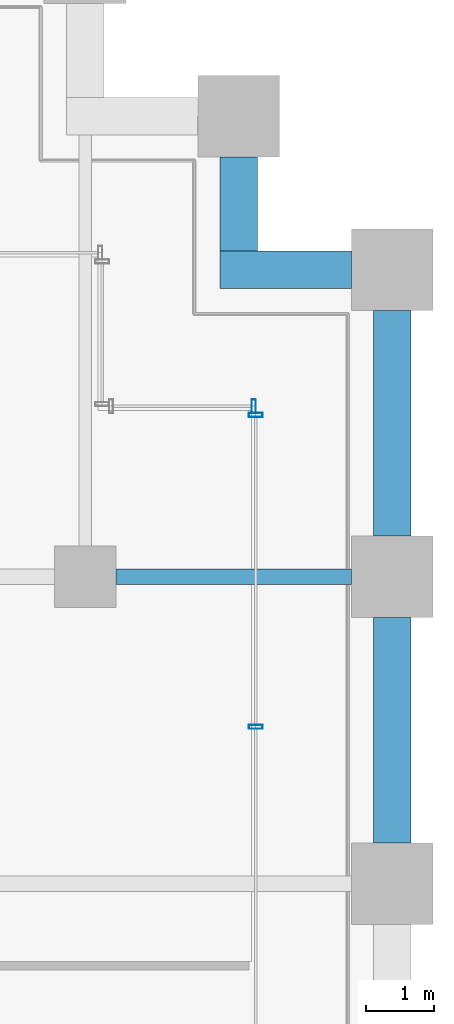
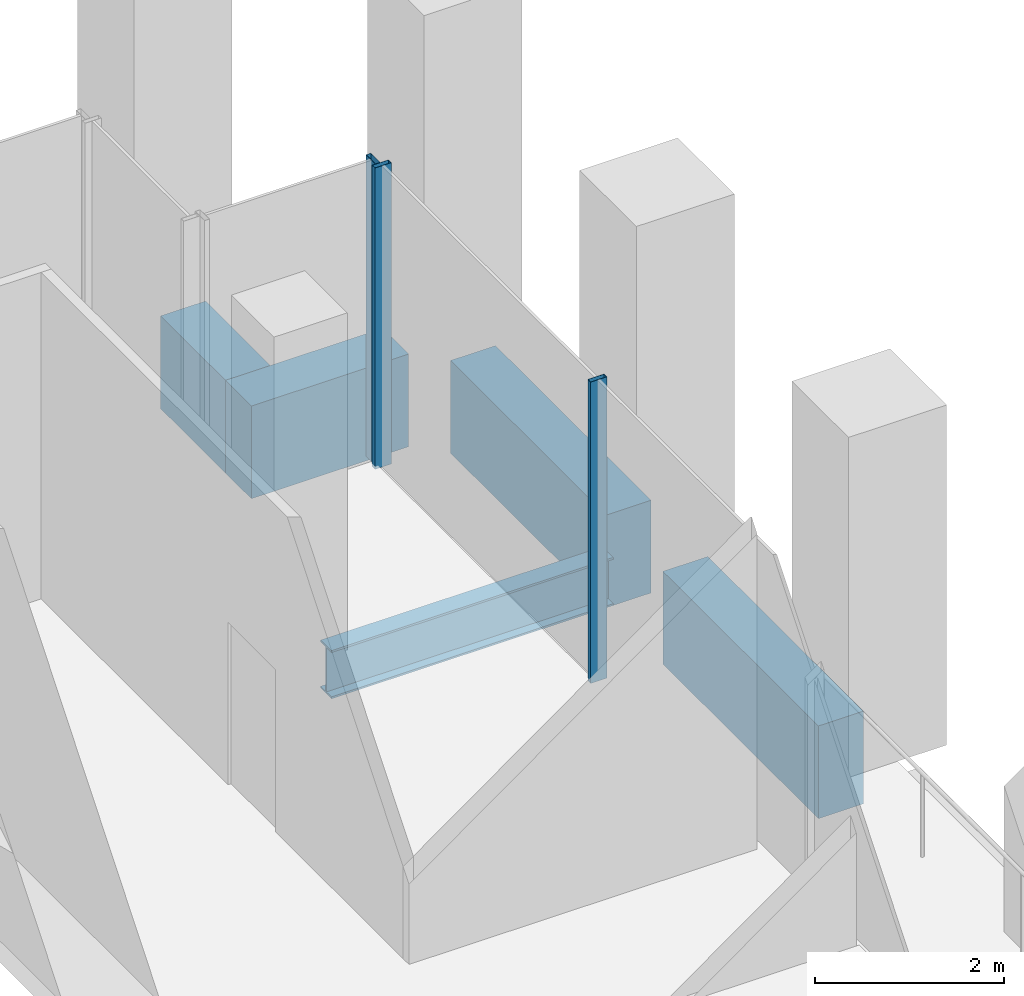
# One storey, part 27 of 36: 5 beams, 3 members, 2 elements without a shape of their own.
"""IFC4 building model written with IfcOpenShell, lengths in metres."""

from ifc_helpers import new_model, si_unit, direction, frame, origin, origin_2d, place, context, subcontext, project, spatial, rectangle, hollow_rectangle, i_section, extrude, material, material_profile, profile_set, type_object, element, aggregate, save


model = new_model("IFC4")

# Units and contexts
model_context = context("Model", 3, precision=1e-05, world=origin(), true_north=direction((0.0, 1.0)))
body_context = subcontext(model_context, "Body", "Model", "MODEL_VIEW")
ifc_project = project(units=[si_unit("LENGTHUNIT", "METRE"), si_unit("AREAUNIT", "SQUARE_METRE"), si_unit("VOLUMEUNIT", "CUBIC_METRE"), si_unit("PLANEANGLEUNIT", "RADIAN"), si_unit("MASSUNIT", "GRAM", prefix="KILO")], contexts=[model_context])

# Site, building, storey
site_placement = place(None, origin())
site = spatial("IfcSite", under=ifc_project, at=site_placement, CompositionType="ELEMENT")
building_placement = place(site_placement, origin())
building = spatial("IfcBuilding", under=site, at=building_placement, Name="Altepetl Exchange Towers", CompositionType="ELEMENT")
storey_placement = place(building_placement, frame((0.0, 0.0, 38.60009765625)))
storey = spatial("IfcBuildingStorey", under=building, at=storey_placement, Name="L08", CompositionType="ELEMENT", Elevation=38.60009765625)

# Beam
ifc_material_1 = material(Name="Steel S355", Category="steel")
ifc_material_profile_1 = material_profile(ifc_material_1, i_section(OverallWidth=0.22900390625, OverallDepth=0.623046875, WebThickness=0.013916015625, FlangeThickness=0.02490234375, at=origin_2d()), Name="W24X103")
ifc_profile_set_1 = profile_set([ifc_material_profile_1], Name="Steel S355")
beam_type_1 = type_object("IfcBeamType", Name="Girder W24X103", PredefinedType="BEAM", material=ifc_profile_set_1)
beam_1_placement = place(storey_placement, frame((121.949951171875, 49.5, -0.486572265625), z_axis=(1.0, 0.0, 0.0), x_axis=(0.0, 1.0, 0.0)))
element("IfcBeam", 1, at=beam_1_placement, inside=storey, type_object=beam_type_1, Name="gd:B:L08:001", PredefinedType="BEAM", context=body_context, shape_type="SweptSolid", body=[
    extrude(i_section(OverallWidth=0.22900390625, OverallDepth=0.623046875, WebThickness=0.013916015625, FlangeThickness=0.02490234375, at=origin_2d()), origin(), (0.0, 0.0, 1.0), 3.449951171875),
])

# Curtain wall, members
ifc_material_2 = material(Name="Aluminium 6063-T6 glazing", Category="aluminium")
curtain_wall_type = type_object("IfcCurtainWallType", Name="Trading floor glazing system", PredefinedType="NOTDEFINED", material=ifc_material_2)
curtain_wall_1_placement = place(storey_placement, origin())
curtain_wall_1 = element("IfcCurtainWall", 2, at=curtain_wall_1_placement, inside=storey, type_object=curtain_wall_type, Name="CW2 run", PredefinedType="NOTDEFINED")
ifc_material_3 = material(Name="Aluminium 6063-T6", Category="aluminium")
ifc_material_profile_2 = material_profile(ifc_material_3, hollow_rectangle(XDim=0.06005859375, YDim=0.199951171875, WallThickness=0.0029296875, at=origin_2d()), Name="Mullion 60x200 aluminium")
ifc_profile_set_2 = profile_set([ifc_material_profile_2], Name="Aluminium 6063-T6")
member_type = type_object("IfcMemberType", Name="Mullion 60x200 aluminium", PredefinedType="MULLION", material=ifc_profile_set_2)
member_1_placement = place(storey_placement, frame((124.0, 47.300048828125, 0.0), z_axis=(0.0, 0.0, 1.0), x_axis=(0.0, 1.0, 0.0)))
member_1 = element("IfcMember", 3, at=member_1_placement, type_object=member_type, Name="MU2 mullion", PredefinedType="MULLION", context=body_context, shape_type="SweptSolid", body=[
    extrude(hollow_rectangle(XDim=0.06005859375, YDim=0.199951171875, WallThickness=0.0029296875, at=origin_2d()), origin(), (0.0, 0.0, 1.0), 3.89990234375),
])
member_2_placement = place(storey_placement, frame((124.0, 51.8701171875, 0.0), z_axis=(0.0, 0.0, 1.0), x_axis=(0.0, 1.0, 0.0)))
member_2 = element("IfcMember", 4, at=member_2_placement, type_object=member_type, Name="MU2 mullion", PredefinedType="MULLION", context=body_context, shape_type="SweptSolid", body=[
    extrude(hollow_rectangle(XDim=0.06005859375, YDim=0.199951171875, WallThickness=0.0029296875, at=origin_2d()), origin(), (0.0, 0.0, 1.0), 3.89990234375),
])
aggregate(curtain_wall_1, [member_1, member_2])

# Curtain wall, member
curtain_wall_2_placement = place(storey_placement, origin())
curtain_wall_2 = element("IfcCurtainWall", 5, at=curtain_wall_2_placement, inside=storey, type_object=curtain_wall_type, Name="CW2 run", PredefinedType="NOTDEFINED")
member_3_placement = place(storey_placement, frame((123.969970703125, 52.0, 0.0), z_axis=(0.0, 0.0, 1.0), x_axis=(-1.0, 0.0, 0.0)))
member_3 = element("IfcMember", 6, at=member_3_placement, type_object=member_type, Name="MU2 mullion", PredefinedType="MULLION", context=body_context, shape_type="SweptSolid", body=[
    extrude(hollow_rectangle(XDim=0.06005859375, YDim=0.199951171875, WallThickness=0.0029296875, at=origin_2d()), origin(), (0.0, 0.0, 1.0), 3.89990234375),
])
aggregate(curtain_wall_2, [member_3])

# Beams
ifc_material_4 = material(Name="Concrete C50/60 precast with cantera amarilla facing", Category="concrete")
ifc_material_profile_3 = material_profile(ifc_material_4, rectangle(XDim=0.550048828125, YDim=1.199951171875, at=origin_2d()), Name="550 x 1200")
ifc_profile_set_3 = profile_set([ifc_material_profile_3], Name="Concrete C50/60 precast with cantera amarilla facing")
beam_type_2 = type_object("IfcBeamType", Name="Spandrel beam 550x1200 cantera amarilla", PredefinedType="SPANDREL", material=ifc_profile_set_3)
beam_2_placement = place(storey_placement, frame((126.0, 50.10009765625, -0.775146484375), z_axis=(0.0, 1.0, 0.0), x_axis=(-1.0, 0.0, 0.0)))
element("IfcBeam", 7, at=beam_2_placement, inside=storey, type_object=beam_type_2, Name="sp:B:L08:013", PredefinedType="SPANDREL", context=body_context, shape_type="SweptSolid", body=[
    extrude(rectangle(XDim=0.550048828125, YDim=1.199951171875, at=origin_2d()), origin(), (0.0, 0.0, 1.0), 3.2998046875),
])
beam_3_placement = place(storey_placement, frame((125.39990234375, 54.0, -0.775146484375), z_axis=(-1.0, 0.0, 0.0), x_axis=(0.0, -1.0, 0.0)))
element("IfcBeam", 8, at=beam_3_placement, inside=storey, type_object=beam_type_2, Name="sp:B:L08:014", PredefinedType="SPANDREL", context=body_context, shape_type="SweptSolid", body=[
    extrude(rectangle(XDim=0.550048828125, YDim=1.199951171875, at=origin_2d()), origin(), (0.0, 0.0, 1.0), 1.9248046875),
])
beam_4_placement = place(storey_placement, frame((123.75, 54.27490234375, -0.775146484375), z_axis=(0.0, 1.0, 0.0), x_axis=(-1.0, 0.0, 0.0)))
element("IfcBeam", 9, at=beam_4_placement, inside=storey, type_object=beam_type_2, Name="sp:B:L08:015", PredefinedType="SPANDREL", context=body_context, shape_type="SweptSolid", body=[
    extrude(rectangle(XDim=0.550048828125, YDim=1.199951171875, at=origin_2d()), origin(), (0.0, 0.0, 1.0), 1.375),
])
ifc_material_5 = material(Name="Concrete C50/60 precast with cantera blanca facing", Category="concrete")
ifc_material_profile_4 = material_profile(ifc_material_5, rectangle(XDim=0.550048828125, YDim=1.199951171875, at=origin_2d()), Name="550 x 1200")
ifc_profile_set_4 = profile_set([ifc_material_profile_4], Name="Concrete C50/60 precast with cantera blanca facing")
beam_type_3 = type_object("IfcBeamType", Name="Spandrel beam 550x1200 cantera blanca", PredefinedType="SPANDREL", material=ifc_profile_set_4)
beam_5_placement = place(storey_placement, frame((126.0, 45.60009765625, -0.775146484375), z_axis=(0.0, 1.0, 0.0), x_axis=(-1.0, 0.0, 0.0)))
element("IfcBeam", 10, at=beam_5_placement, inside=storey, type_object=beam_type_3, Name="sp:B:L08:012", PredefinedType="SPANDREL", context=body_context, shape_type="SweptSolid", body=[
    extrude(rectangle(XDim=0.550048828125, YDim=1.199951171875, at=origin_2d()), origin(), (0.0, 0.0, 1.0), 3.2998046875),
])

save(model, "model.ifc")
